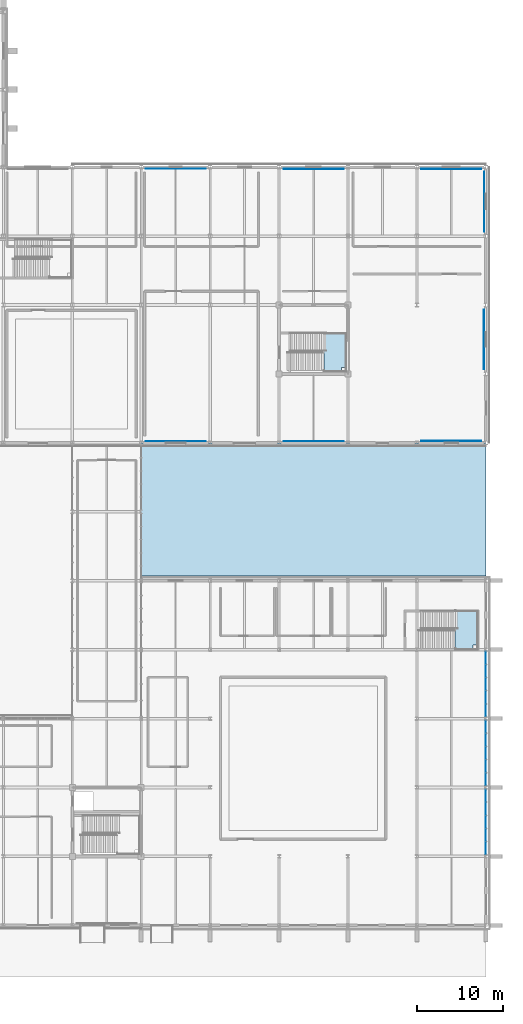
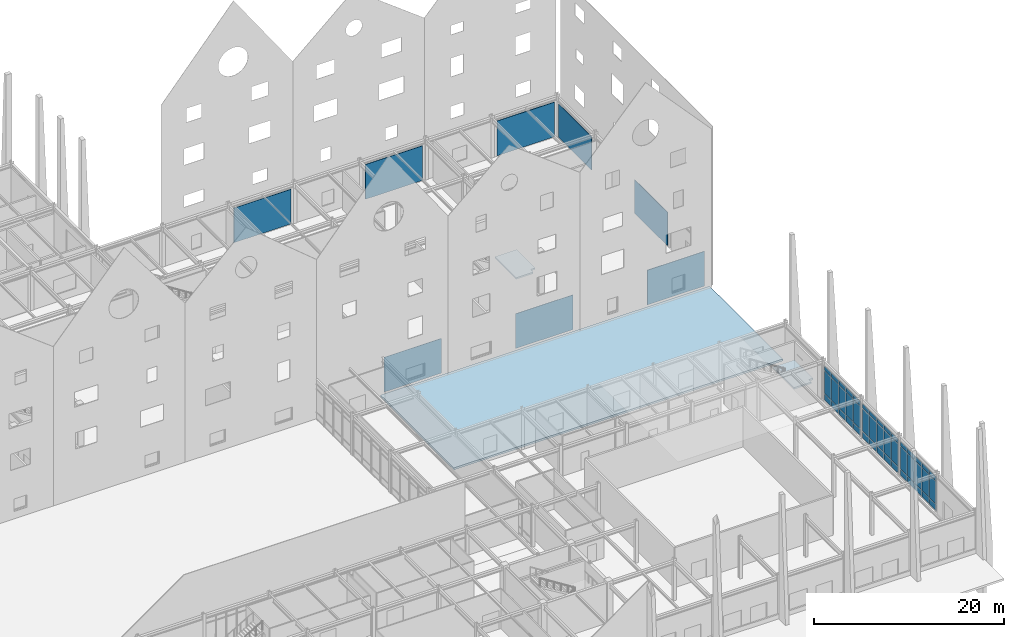
# One storey, part 66 of 119: 53 plates, 3 slabs, 5 elements without a shape of their own.
"""IFC4 building model written with IfcOpenShell, lengths in metres."""

import ifcopenshell
import ifcopenshell.guid

model = None  # the IFC model being written
_history = None  # IfcOwnerHistory: only IFC2X3 demands one
_inside = {}  # id of a spatial element -> (the spatial element, [elements in it])
_under = {}  # id of a project, library or spatial element -> (it, [spatial elements below it])
_declared = {}  # id of a project -> (the project, [libraries it declares])
_typed = {}  # id of a type object -> (the type object, [elements of that type])
_made_of = {}  # id of a material, layer set ... -> (it, [elements and type objects made of it])


def new_model(schema):
    """Start an empty IFC model of exactly this schema.

    Asked for "IFC4X3", IfcOpenShell would pick the latest addendum, in which some entities
    have other attributes; the version numbers below select the first issue.
    IFC2X3 requires an IfcOwnerHistory on every rooted entity: one is made here for all.
    """
    global model, _history
    if schema == "IFC4X3":
        model = ifcopenshell.file(schema_version=(4, 3, 0, 0))
    else:
        model = ifcopenshell.file(schema=schema)
    _inside.clear()
    _under.clear()
    _declared.clear()
    _typed.clear()
    _made_of.clear()
    _history = None
    if model.schema == "IFC2X3":
        org = make("IfcOrganization", Name="unknown")
        user = make(
            "IfcPersonAndOrganization",
            ThePerson=make("IfcPerson", FamilyName="unknown"),
            TheOrganization=org,
        )
        app = make(
            "IfcApplication",
            ApplicationDeveloper=org,
            Version="unknown",
            ApplicationFullName="unknown",
            ApplicationIdentifier="unknown",
        )
        _history = make(
            "IfcOwnerHistory",
            OwningUser=user,
            OwningApplication=app,
            ChangeAction="ADDED",
            CreationDate=0,
        )
    return model


def make(cls, **values):
    """One entity of the class cls with the attributes given. An attribute that is None is left unset."""
    return model.create_entity(
        cls, **{name: value for name, value in values.items() if value is not None}
    )


def rooted(cls, **values):
    """An entity with a GlobalId (a new one), such as an element, a storey or a relation."""
    return make(cls, GlobalId=ifcopenshell.guid.new(), OwnerHistory=_history, **values)


def si_unit(unit_type, name, prefix=None):
    """IfcSIUnit, for example si_unit("LENGTHUNIT", "METRE", prefix="MILLI")."""
    return make("IfcSIUnit", UnitType=unit_type, Prefix=prefix, Name=name)


def assignment(units):
    """IfcUnitAssignment: the units of a project."""
    return None if units is None else make("IfcUnitAssignment", Units=units)


def point(xyz):
    """IfcCartesianPoint."""
    return None if xyz is None else make("IfcCartesianPoint", Coordinates=xyz)


def direction(xyz):
    """IfcDirection."""
    return None if xyz is None else make("IfcDirection", DirectionRatios=xyz)


def frame(location, z_axis=None, x_axis=None):
    """IfcAxis2Placement3D, a coordinate frame: its origin and axes. An axis left out is left unset."""
    return make(
        "IfcAxis2Placement3D",
        Location=point(location),
        Axis=direction(z_axis),
        RefDirection=direction(x_axis),
    )


def frame_2d(location, x_axis=None):
    """IfcAxis2Placement2D, a coordinate frame in the plane: its origin and x axis."""
    return make(
        "IfcAxis2Placement2D", Location=point(location), RefDirection=direction(x_axis)
    )


def origin():
    """The frame at (0, 0, 0) with its axes left unset."""
    return frame((0.0, 0.0, 0.0))


def origin_2d():
    """The frame at (0, 0) in the plane with its x axis left unset."""
    return frame_2d((0.0, 0.0))


def place(relative_to, where):
    """IfcLocalPlacement: puts the frame where relative to a parent placement (None: the world)."""
    return make(
        "IfcLocalPlacement", PlacementRelTo=relative_to, RelativePlacement=where
    )


def context(
    kind, dimensions, precision=None, world=None, true_north=None, identifier=None
):
    """IfcGeometricRepresentationContext, for example the 3D "Model" context."""
    return make(
        "IfcGeometricRepresentationContext",
        ContextIdentifier=identifier,
        ContextType=kind,
        CoordinateSpaceDimension=dimensions,
        Precision=precision,
        WorldCoordinateSystem=world,
        TrueNorth=true_north,
    )


def subcontext(parent, identifier, kind, view, scale=None):
    """IfcGeometricRepresentationSubContext, for example "Body" below "Model"."""
    return make(
        "IfcGeometricRepresentationSubContext",
        ContextIdentifier=identifier,
        ContextType=kind,
        ParentContext=parent,
        TargetScale=scale,
        TargetView=view,
    )


def project(units=None, contexts=None):
    """IfcProject with its units and contexts."""
    return rooted(
        "IfcProject",
        Name="project",
        RepresentationContexts=contexts,
        UnitsInContext=assignment(units),
    )


def spatial(cls, under=None, at=None, **own):
    """A site, building, storey or space (cls), placed at a placement, below another one or the project."""
    s = rooted(cls, ObjectPlacement=at, **own)
    if under is not None:
        _under.setdefault(under.id(), (under, []))[1].append(s)
    return s


def polyline(points):
    """IfcPolyline through the points."""
    return make("IfcPolyline", Points=[point(p) for p in points])


def profile(cls, at=None, kind="AREA", **sizes):
    """A parametric profile (cls). Its sizes go by their IFC names, for example OverallWidth=200.0."""
    return make(cls, ProfileType=kind, Position=at, **sizes)


def rectangle(**sizes):
    """IfcRectangleProfileDef."""
    return profile("IfcRectangleProfileDef", **sizes)


def outline(outer, holes=None, kind="AREA"):
    """IfcArbitraryClosedProfileDef: a profile drawn as a closed curve; with holes, ...WithVoids."""
    if holes is None:
        return make("IfcArbitraryClosedProfileDef", ProfileType=kind, OuterCurve=outer)
    return make(
        "IfcArbitraryProfileDefWithVoids",
        ProfileType=kind,
        OuterCurve=outer,
        InnerCurves=holes,
    )


def extrude(swept, where, along, depth):
    """IfcExtrudedAreaSolid: the profile swept, set in the frame where, extruded along a direction by depth."""
    return make(
        "IfcExtrudedAreaSolid",
        SweptArea=swept,
        Position=where,
        ExtrudedDirection=direction(along),
        Depth=depth,
    )


def shape(context_of_items, identifier, shape_type, items):
    """IfcShapeRepresentation: the items that make up one representation, for example the "Body"."""
    return make(
        "IfcShapeRepresentation",
        ContextOfItems=context_of_items,
        RepresentationIdentifier=identifier,
        RepresentationType=shape_type,
        Items=items,
    )


def material(Name=None, Category=None):
    """IfcMaterial."""
    return make("IfcMaterial", Name=Name, Category=Category)


def layer(
    of_material, thickness, ventilated=None, Name=None, Category=None, Priority=None
):
    """IfcMaterialLayer: one layer of a wall or slab, of a material (None: an air gap)."""
    return make(
        "IfcMaterialLayer",
        Material=of_material,
        LayerThickness=thickness,
        IsVentilated=ventilated,
        Name=Name,
        Category=Category,
        Priority=Priority,
    )


def layer_set(layers, Name=None):
    """IfcMaterialLayerSet."""
    return make("IfcMaterialLayerSet", MaterialLayers=layers, LayerSetName=Name)


def made_of(thing, what):
    """Note that an element or type object is made of a material, layer set ...; save() writes the relation."""
    if what is not None:
        _made_of.setdefault(what.id(), (what, []))[1].append(thing)
    return thing


def type_object(cls, material=None, **own):
    """A type object (cls), such as IfcWallType, which elements share."""
    return made_of(rooted(cls, **own), material)


def element(
    cls,
    number,
    at=None,
    inside=None,
    cuts=None,
    type_object=None,
    material=None,
    context=None,
    identifier="Body",
    shape_type=None,
    held_by="IfcProductDefinitionShape",
    body=None,
    shapes=None,
    **own,
):
    """One element of the class cls, such as IfcWall. Its Tag is "e" and its number.

    at: its placement. inside: the storey or other place that contains it. cuts: it is an
    opening in that element (IfcRelVoidsElement). A single representation is given by context,
    identifier, shape_type and body (its items); several are given by shapes. held_by: the class
    of the entity that holds the representations. save() writes the other relations.
    """
    e = rooted(cls, Tag="e%d" % number, ObjectPlacement=at, **own)
    if body is not None:
        shapes = [shape(context, identifier, shape_type, body)]
    if shapes is not None:
        e.Representation = make(held_by, Representations=shapes)
    if inside is not None:
        _inside.setdefault(inside.id(), (inside, []))[1].append(e)
    if cuts is not None:
        rooted(
            "IfcRelVoidsElement", RelatingBuildingElement=cuts, RelatedOpeningElement=e
        )
    if type_object is not None:
        _typed.setdefault(type_object.id(), (type_object, []))[1].append(e)
    return made_of(e, material)


def aggregate(whole, parts):
    """IfcRelAggregates: a whole, such as a stair, and the parts it consists of."""
    return rooted("IfcRelAggregates", RelatingObject=whole, RelatedObjects=parts)


def save(model, path):
    """Write the relations noted so far, then the file.

    IfcRelAggregates (storeys below a building ...), IfcRelContainedInSpatialStructure (elements
    in a storey), IfcRelDefinesByType, IfcRelAssociatesMaterial and IfcRelDeclares: one each for
    every whole, place, type object, material and project.
    """
    for whole, parts in _under.values():
        aggregate(whole, parts)
    for where, things in _inside.values():
        rooted(
            "IfcRelContainedInSpatialStructure",
            RelatedElements=things,
            RelatingStructure=where,
        )
    for kind, things in _typed.values():
        rooted("IfcRelDefinesByType", RelatedObjects=things, RelatingType=kind)
    for what, things in _made_of.values():
        rooted("IfcRelAssociatesMaterial", RelatedObjects=things, RelatingMaterial=what)
    for by, libraries in _declared.values():
        rooted("IfcRelDeclares", RelatingContext=by, RelatedDefinitions=libraries)
    model.write(path)


model = new_model("IFC4")

# Units and contexts
model_context = context("Model", 3, precision=1e-05, world=origin(), true_north=direction((0.0, 1.0)))
body_context = subcontext(model_context, "Body", "Model", "MODEL_VIEW")
ifc_project = project(units=[si_unit("LENGTHUNIT", "METRE"), si_unit("AREAUNIT", "SQUARE_METRE"), si_unit("VOLUMEUNIT", "CUBIC_METRE"), si_unit("PLANEANGLEUNIT", "RADIAN"), si_unit("MASSUNIT", "GRAM", prefix="KILO")], contexts=[model_context])

# Site, building, storey
site_placement = place(None, origin())
site = spatial("IfcSite", under=ifc_project, at=site_placement, CompositionType="ELEMENT")
building_placement = place(site_placement, origin())
building = spatial("IfcBuilding", under=site, at=building_placement, Name="Zhaolan Boulevard Law Courts", CompositionType="ELEMENT")
storey_placement = place(building_placement, origin())
storey = spatial("IfcBuildingStorey", under=building, at=storey_placement, Name="L00", CompositionType="ELEMENT", Elevation=0.0)

# Curtain wall, plates
ifc_material_1 = material(Name="Thermally broken aluminium and low-E glazing", Category="aluminium")
curtain_wall_type_1 = type_object("IfcCurtainWallType", Name="CURTAIN WALL M9", PredefinedType="USERDEFINED", material=ifc_material_1)
curtain_wall_1_placement = place(storey_placement, origin())
curtain_wall_1 = element("IfcCurtainWall", 1, at=curtain_wall_1_placement, inside=storey, type_object=curtain_wall_type_1, Name="Curtain Wall CW-L00-009", ObjectType="CURTAIN WALL", PredefinedType="USERDEFINED")
ifc_material_2 = material(Name="Acoustic laminated low-E glazing", Category="glass")
ifc_layer_1 = layer(ifc_material_2, 0.031982421875)
ifc_layer_set_1 = layer_set([ifc_layer_1])
plate_type_1 = type_object("IfcPlateType", Name="CWPANEL LOW E32", PredefinedType="CURTAIN_PANEL", material=ifc_layer_set_1)
plate_1_placement = place(storey_placement, frame((164.0, 14.957763671875, 0.06494140625), z_axis=(0.0, 0.0, 1.0), x_axis=(0.0, 1.0, 0.0)))
plate_1 = element("IfcPlate", 2, at=plate_1_placement, type_object=plate_type_1, Name="CW-L00-009 panel 1.1", PredefinedType="CURTAIN_PANEL", context=body_context, shape_type="SweptSolid", body=[
    extrude(rectangle(XDim=1.431640625, YDim=0.031982421875, at=origin_2d()), origin(), (0.0, 0.0, 1.0), 0.802490234375),
])
plate_2_placement = place(storey_placement, frame((164.0, 14.957763671875, 0.9326171875), z_axis=(0.0, 0.0, 1.0), x_axis=(0.0, 1.0, 0.0)))
plate_2 = element("IfcPlate", 3, at=plate_2_placement, type_object=plate_type_1, Name="CW-L00-009 panel 1.2", PredefinedType="CURTAIN_PANEL", context=body_context, shape_type="SweptSolid", body=[
    extrude(rectangle(XDim=1.431640625, YDim=0.031982421875, at=origin_2d()), origin(), (0.0, 0.0, 1.0), 2.887939453125),
])
plate_3_placement = place(storey_placement, frame((164.0, 14.957763671875, 3.8857421875), z_axis=(0.0, 0.0, 1.0), x_axis=(0.0, 1.0, 0.0)))
plate_3 = element("IfcPlate", 4, at=plate_3_placement, type_object=plate_type_1, Name="CW-L00-009 panel 1.3", PredefinedType="CURTAIN_PANEL", context=body_context, shape_type="SweptSolid", body=[
    extrude(rectangle(XDim=1.431640625, YDim=0.031982421875, at=origin_2d()), origin(), (0.0, 0.0, 1.0), 0.552490234375),
])
plate_4_placement = place(storey_placement, frame((164.0, 16.470703125, 0.06494140625), z_axis=(0.0, 0.0, 1.0), x_axis=(0.0, 1.0, 0.0)))
plate_4 = element("IfcPlate", 5, at=plate_4_placement, type_object=plate_type_1, Name="CW-L00-009 panel 2.1", PredefinedType="CURTAIN_PANEL", context=body_context, shape_type="SweptSolid", body=[
    extrude(rectangle(XDim=1.464111328125, YDim=0.031982421875, at=origin_2d()), origin(), (0.0, 0.0, 1.0), 0.802490234375),
])
plate_5_placement = place(storey_placement, frame((164.0, 16.470703125, 0.9326171875), z_axis=(0.0, 0.0, 1.0), x_axis=(0.0, 1.0, 0.0)))
plate_5 = element("IfcPlate", 6, at=plate_5_placement, type_object=plate_type_1, Name="CW-L00-009 panel 2.2", PredefinedType="CURTAIN_PANEL", context=body_context, shape_type="SweptSolid", body=[
    extrude(rectangle(XDim=1.464111328125, YDim=0.031982421875, at=origin_2d()), origin(), (0.0, 0.0, 1.0), 2.887939453125),
])
plate_6_placement = place(storey_placement, frame((164.0, 16.470703125, 3.8857421875), z_axis=(0.0, 0.0, 1.0), x_axis=(0.0, 1.0, 0.0)))
plate_6 = element("IfcPlate", 7, at=plate_6_placement, type_object=plate_type_1, Name="CW-L00-009 panel 2.3", PredefinedType="CURTAIN_PANEL", context=body_context, shape_type="SweptSolid", body=[
    extrude(rectangle(XDim=1.464111328125, YDim=0.031982421875, at=origin_2d()), origin(), (0.0, 0.0, 1.0), 0.552490234375),
])
plate_7_placement = place(storey_placement, frame((164.0, 18.0, 0.06494140625), z_axis=(0.0, 0.0, 1.0), x_axis=(0.0, 1.0, 0.0)))
plate_7 = element("IfcPlate", 8, at=plate_7_placement, type_object=plate_type_1, Name="CW-L00-009 panel 3.1", PredefinedType="CURTAIN_PANEL", context=body_context, shape_type="SweptSolid", body=[
    extrude(rectangle(XDim=1.464111328125, YDim=0.031982421875, at=origin_2d()), origin(), (0.0, 0.0, 1.0), 0.802490234375),
])
plate_8_placement = place(storey_placement, frame((164.0, 18.0, 0.9326171875), z_axis=(0.0, 0.0, 1.0), x_axis=(0.0, 1.0, 0.0)))
plate_8 = element("IfcPlate", 9, at=plate_8_placement, type_object=plate_type_1, Name="CW-L00-009 panel 3.2", PredefinedType="CURTAIN_PANEL", context=body_context, shape_type="SweptSolid", body=[
    extrude(rectangle(XDim=1.464111328125, YDim=0.031982421875, at=origin_2d()), origin(), (0.0, 0.0, 1.0), 2.887939453125),
])
plate_9_placement = place(storey_placement, frame((164.0, 18.0, 3.8857421875), z_axis=(0.0, 0.0, 1.0), x_axis=(0.0, 1.0, 0.0)))
plate_9 = element("IfcPlate", 10, at=plate_9_placement, type_object=plate_type_1, Name="CW-L00-009 panel 3.3", PredefinedType="CURTAIN_PANEL", context=body_context, shape_type="SweptSolid", body=[
    extrude(rectangle(XDim=1.464111328125, YDim=0.031982421875, at=origin_2d()), origin(), (0.0, 0.0, 1.0), 0.552490234375),
])
plate_10_placement = place(storey_placement, frame((164.0, 19.529296875, 0.06494140625), z_axis=(0.0, 0.0, 1.0), x_axis=(0.0, 1.0, 0.0)))
plate_10 = element("IfcPlate", 11, at=plate_10_placement, type_object=plate_type_1, Name="CW-L00-009 panel 4.1", PredefinedType="CURTAIN_PANEL", context=body_context, shape_type="SweptSolid", body=[
    extrude(rectangle(XDim=1.464111328125, YDim=0.031982421875, at=origin_2d()), origin(), (0.0, 0.0, 1.0), 0.802490234375),
])
plate_11_placement = place(storey_placement, frame((164.0, 19.529296875, 0.9326171875), z_axis=(0.0, 0.0, 1.0), x_axis=(0.0, 1.0, 0.0)))
plate_11 = element("IfcPlate", 12, at=plate_11_placement, type_object=plate_type_1, Name="CW-L00-009 panel 4.2", PredefinedType="CURTAIN_PANEL", context=body_context, shape_type="SweptSolid", body=[
    extrude(rectangle(XDim=1.464111328125, YDim=0.031982421875, at=origin_2d()), origin(), (0.0, 0.0, 1.0), 2.887939453125),
])
plate_12_placement = place(storey_placement, frame((164.0, 19.529296875, 3.8857421875), z_axis=(0.0, 0.0, 1.0), x_axis=(0.0, 1.0, 0.0)))
plate_12 = element("IfcPlate", 13, at=plate_12_placement, type_object=plate_type_1, Name="CW-L00-009 panel 4.3", PredefinedType="CURTAIN_PANEL", context=body_context, shape_type="SweptSolid", body=[
    extrude(rectangle(XDim=1.464111328125, YDim=0.031982421875, at=origin_2d()), origin(), (0.0, 0.0, 1.0), 0.552490234375),
])
plate_13_placement = place(storey_placement, frame((164.0, 21.042236328125, 0.06494140625), z_axis=(0.0, 0.0, 1.0), x_axis=(0.0, 1.0, 0.0)))
plate_13 = element("IfcPlate", 14, at=plate_13_placement, type_object=plate_type_1, Name="CW-L00-009 panel 5.1", PredefinedType="CURTAIN_PANEL", context=body_context, shape_type="SweptSolid", body=[
    extrude(rectangle(XDim=1.431640625, YDim=0.031982421875, at=origin_2d()), origin(), (0.0, 0.0, 1.0), 0.802490234375),
])
plate_14_placement = place(storey_placement, frame((164.0, 21.042236328125, 0.9326171875), z_axis=(0.0, 0.0, 1.0), x_axis=(0.0, 1.0, 0.0)))
plate_14 = element("IfcPlate", 15, at=plate_14_placement, type_object=plate_type_1, Name="CW-L00-009 panel 5.2", PredefinedType="CURTAIN_PANEL", context=body_context, shape_type="SweptSolid", body=[
    extrude(rectangle(XDim=1.431640625, YDim=0.031982421875, at=origin_2d()), origin(), (0.0, 0.0, 1.0), 2.887939453125),
])
plate_15_placement = place(storey_placement, frame((164.0, 21.042236328125, 3.8857421875), z_axis=(0.0, 0.0, 1.0), x_axis=(0.0, 1.0, 0.0)))
plate_15 = element("IfcPlate", 16, at=plate_15_placement, type_object=plate_type_1, Name="CW-L00-009 panel 5.3", PredefinedType="CURTAIN_PANEL", context=body_context, shape_type="SweptSolid", body=[
    extrude(rectangle(XDim=1.431640625, YDim=0.031982421875, at=origin_2d()), origin(), (0.0, 0.0, 1.0), 0.552490234375),
])
aggregate(curtain_wall_1, [plate_1, plate_2, plate_3, plate_4, plate_5, plate_6, plate_7, plate_8, plate_9, plate_10, plate_11, plate_12, plate_13, plate_14, plate_15])

ifc_material_3 = material(Name="Thermally broken aluminium and low-E glazing", Category="aluminium")
curtain_wall_type_2 = type_object("IfcCurtainWallType", Name="CURTAIN WALL M10", PredefinedType="USERDEFINED", material=ifc_material_3)
curtain_wall_2_placement = place(storey_placement, origin())
curtain_wall_2 = element("IfcCurtainWall", 17, at=curtain_wall_2_placement, inside=storey, type_object=curtain_wall_type_2, Name="Curtain Wall CW-L00-010", ObjectType="CURTAIN WALL", PredefinedType="USERDEFINED")
plate_16_placement = place(storey_placement, frame((164.0, 22.957763671875, 0.06494140625), z_axis=(0.0, 0.0, 1.0), x_axis=(0.0, 1.0, 0.0)))
plate_16 = element("IfcPlate", 18, at=plate_16_placement, type_object=plate_type_1, Name="CW-L00-010 panel 1.1", PredefinedType="CURTAIN_PANEL", context=body_context, shape_type="SweptSolid", body=[
    extrude(rectangle(XDim=1.431640625, YDim=0.031982421875, at=origin_2d()), origin(), (0.0, 0.0, 1.0), 0.802490234375),
])
plate_17_placement = place(storey_placement, frame((164.0, 22.957763671875, 0.9326171875), z_axis=(0.0, 0.0, 1.0), x_axis=(0.0, 1.0, 0.0)))
plate_17 = element("IfcPlate", 19, at=plate_17_placement, type_object=plate_type_1, Name="CW-L00-010 panel 1.2", PredefinedType="CURTAIN_PANEL", context=body_context, shape_type="SweptSolid", body=[
    extrude(rectangle(XDim=1.431640625, YDim=0.031982421875, at=origin_2d()), origin(), (0.0, 0.0, 1.0), 2.887939453125),
])
plate_18_placement = place(storey_placement, frame((164.0, 22.957763671875, 3.8857421875), z_axis=(0.0, 0.0, 1.0), x_axis=(0.0, 1.0, 0.0)))
plate_18 = element("IfcPlate", 20, at=plate_18_placement, type_object=plate_type_1, Name="CW-L00-010 panel 1.3", PredefinedType="CURTAIN_PANEL", context=body_context, shape_type="SweptSolid", body=[
    extrude(rectangle(XDim=1.431640625, YDim=0.031982421875, at=origin_2d()), origin(), (0.0, 0.0, 1.0), 0.552490234375),
])
plate_19_placement = place(storey_placement, frame((164.0, 24.470703125, 0.06494140625), z_axis=(0.0, 0.0, 1.0), x_axis=(0.0, 1.0, 0.0)))
plate_19 = element("IfcPlate", 21, at=plate_19_placement, type_object=plate_type_1, Name="CW-L00-010 panel 2.1", PredefinedType="CURTAIN_PANEL", context=body_context, shape_type="SweptSolid", body=[
    extrude(rectangle(XDim=1.464111328125, YDim=0.031982421875, at=origin_2d()), origin(), (0.0, 0.0, 1.0), 0.802490234375),
])
plate_20_placement = place(storey_placement, frame((164.0, 24.470703125, 0.9326171875), z_axis=(0.0, 0.0, 1.0), x_axis=(0.0, 1.0, 0.0)))
plate_20 = element("IfcPlate", 22, at=plate_20_placement, type_object=plate_type_1, Name="CW-L00-010 panel 2.2", PredefinedType="CURTAIN_PANEL", context=body_context, shape_type="SweptSolid", body=[
    extrude(rectangle(XDim=1.464111328125, YDim=0.031982421875, at=origin_2d()), origin(), (0.0, 0.0, 1.0), 2.887939453125),
])
plate_21_placement = place(storey_placement, frame((164.0, 24.470703125, 3.8857421875), z_axis=(0.0, 0.0, 1.0), x_axis=(0.0, 1.0, 0.0)))
plate_21 = element("IfcPlate", 23, at=plate_21_placement, type_object=plate_type_1, Name="CW-L00-010 panel 2.3", PredefinedType="CURTAIN_PANEL", context=body_context, shape_type="SweptSolid", body=[
    extrude(rectangle(XDim=1.464111328125, YDim=0.031982421875, at=origin_2d()), origin(), (0.0, 0.0, 1.0), 0.552490234375),
])
plate_22_placement = place(storey_placement, frame((164.0, 26.0, 0.06494140625), z_axis=(0.0, 0.0, 1.0), x_axis=(0.0, 1.0, 0.0)))
plate_22 = element("IfcPlate", 24, at=plate_22_placement, type_object=plate_type_1, Name="CW-L00-010 panel 3.1", PredefinedType="CURTAIN_PANEL", context=body_context, shape_type="SweptSolid", body=[
    extrude(rectangle(XDim=1.464111328125, YDim=0.031982421875, at=origin_2d()), origin(), (0.0, 0.0, 1.0), 0.802490234375),
])
plate_23_placement = place(storey_placement, frame((164.0, 26.0, 0.9326171875), z_axis=(0.0, 0.0, 1.0), x_axis=(0.0, 1.0, 0.0)))
plate_23 = element("IfcPlate", 25, at=plate_23_placement, type_object=plate_type_1, Name="CW-L00-010 panel 3.2", PredefinedType="CURTAIN_PANEL", context=body_context, shape_type="SweptSolid", body=[
    extrude(rectangle(XDim=1.464111328125, YDim=0.031982421875, at=origin_2d()), origin(), (0.0, 0.0, 1.0), 2.887939453125),
])
plate_24_placement = place(storey_placement, frame((164.0, 26.0, 3.8857421875), z_axis=(0.0, 0.0, 1.0), x_axis=(0.0, 1.0, 0.0)))
plate_24 = element("IfcPlate", 26, at=plate_24_placement, type_object=plate_type_1, Name="CW-L00-010 panel 3.3", PredefinedType="CURTAIN_PANEL", context=body_context, shape_type="SweptSolid", body=[
    extrude(rectangle(XDim=1.464111328125, YDim=0.031982421875, at=origin_2d()), origin(), (0.0, 0.0, 1.0), 0.552490234375),
])
plate_25_placement = place(storey_placement, frame((164.0, 27.529296875, 0.06494140625), z_axis=(0.0, 0.0, 1.0), x_axis=(0.0, 1.0, 0.0)))
plate_25 = element("IfcPlate", 27, at=plate_25_placement, type_object=plate_type_1, Name="CW-L00-010 panel 4.1", PredefinedType="CURTAIN_PANEL", context=body_context, shape_type="SweptSolid", body=[
    extrude(rectangle(XDim=1.464111328125, YDim=0.031982421875, at=origin_2d()), origin(), (0.0, 0.0, 1.0), 0.802490234375),
])
plate_26_placement = place(storey_placement, frame((164.0, 27.529296875, 0.9326171875), z_axis=(0.0, 0.0, 1.0), x_axis=(0.0, 1.0, 0.0)))
plate_26 = element("IfcPlate", 28, at=plate_26_placement, type_object=plate_type_1, Name="CW-L00-010 panel 4.2", PredefinedType="CURTAIN_PANEL", context=body_context, shape_type="SweptSolid", body=[
    extrude(rectangle(XDim=1.464111328125, YDim=0.031982421875, at=origin_2d()), origin(), (0.0, 0.0, 1.0), 2.887939453125),
])
plate_27_placement = place(storey_placement, frame((164.0, 27.529296875, 3.8857421875), z_axis=(0.0, 0.0, 1.0), x_axis=(0.0, 1.0, 0.0)))
plate_27 = element("IfcPlate", 29, at=plate_27_placement, type_object=plate_type_1, Name="CW-L00-010 panel 4.3", PredefinedType="CURTAIN_PANEL", context=body_context, shape_type="SweptSolid", body=[
    extrude(rectangle(XDim=1.464111328125, YDim=0.031982421875, at=origin_2d()), origin(), (0.0, 0.0, 1.0), 0.552490234375),
])
plate_28_placement = place(storey_placement, frame((164.0, 29.042236328125, 0.06494140625), z_axis=(0.0, 0.0, 1.0), x_axis=(0.0, 1.0, 0.0)))
plate_28 = element("IfcPlate", 30, at=plate_28_placement, type_object=plate_type_1, Name="CW-L00-010 panel 5.1", PredefinedType="CURTAIN_PANEL", context=body_context, shape_type="SweptSolid", body=[
    extrude(rectangle(XDim=1.431640625, YDim=0.031982421875, at=origin_2d()), origin(), (0.0, 0.0, 1.0), 0.802490234375),
])
plate_29_placement = place(storey_placement, frame((164.0, 29.042236328125, 0.9326171875), z_axis=(0.0, 0.0, 1.0), x_axis=(0.0, 1.0, 0.0)))
plate_29 = element("IfcPlate", 31, at=plate_29_placement, type_object=plate_type_1, Name="CW-L00-010 panel 5.2", PredefinedType="CURTAIN_PANEL", context=body_context, shape_type="SweptSolid", body=[
    extrude(rectangle(XDim=1.431640625, YDim=0.031982421875, at=origin_2d()), origin(), (0.0, 0.0, 1.0), 2.887939453125),
])
plate_30_placement = place(storey_placement, frame((164.0, 29.042236328125, 3.8857421875), z_axis=(0.0, 0.0, 1.0), x_axis=(0.0, 1.0, 0.0)))
plate_30 = element("IfcPlate", 32, at=plate_30_placement, type_object=plate_type_1, Name="CW-L00-010 panel 5.3", PredefinedType="CURTAIN_PANEL", context=body_context, shape_type="SweptSolid", body=[
    extrude(rectangle(XDim=1.431640625, YDim=0.031982421875, at=origin_2d()), origin(), (0.0, 0.0, 1.0), 0.552490234375),
])
aggregate(curtain_wall_2, [plate_16, plate_17, plate_18, plate_19, plate_20, plate_21, plate_22, plate_23, plate_24, plate_25, plate_26, plate_27, plate_28, plate_29, plate_30])

ifc_material_4 = material(Name="Thermally broken aluminium and low-E glazing", Category="aluminium")
curtain_wall_type_3 = type_object("IfcCurtainWallType", Name="CURTAIN WALL M11", PredefinedType="USERDEFINED", material=ifc_material_4)
curtain_wall_3_placement = place(storey_placement, origin())
curtain_wall_3 = element("IfcCurtainWall", 33, at=curtain_wall_3_placement, inside=storey, type_object=curtain_wall_type_3, Name="Curtain Wall CW-L00-011", ObjectType="CURTAIN WALL", PredefinedType="USERDEFINED")
plate_31_placement = place(storey_placement, frame((164.0, 30.957763671875, 0.06494140625), z_axis=(0.0, 0.0, 1.0), x_axis=(0.0, 1.0, 0.0)))
plate_31 = element("IfcPlate", 34, at=plate_31_placement, type_object=plate_type_1, Name="CW-L00-011 panel 1.1", PredefinedType="CURTAIN_PANEL", context=body_context, shape_type="SweptSolid", body=[
    extrude(rectangle(XDim=1.431640625, YDim=0.031982421875, at=origin_2d()), origin(), (0.0, 0.0, 1.0), 0.802490234375),
])
plate_32_placement = place(storey_placement, frame((164.0, 30.957763671875, 0.9326171875), z_axis=(0.0, 0.0, 1.0), x_axis=(0.0, 1.0, 0.0)))
plate_32 = element("IfcPlate", 35, at=plate_32_placement, type_object=plate_type_1, Name="CW-L00-011 panel 1.2", PredefinedType="CURTAIN_PANEL", context=body_context, shape_type="SweptSolid", body=[
    extrude(rectangle(XDim=1.431640625, YDim=0.031982421875, at=origin_2d()), origin(), (0.0, 0.0, 1.0), 2.887939453125),
])
plate_33_placement = place(storey_placement, frame((164.0, 30.957763671875, 3.8857421875), z_axis=(0.0, 0.0, 1.0), x_axis=(0.0, 1.0, 0.0)))
plate_33 = element("IfcPlate", 36, at=plate_33_placement, type_object=plate_type_1, Name="CW-L00-011 panel 1.3", PredefinedType="CURTAIN_PANEL", context=body_context, shape_type="SweptSolid", body=[
    extrude(rectangle(XDim=1.431640625, YDim=0.031982421875, at=origin_2d()), origin(), (0.0, 0.0, 1.0), 0.552490234375),
])
plate_34_placement = place(storey_placement, frame((164.0, 32.470703125, 0.06494140625), z_axis=(0.0, 0.0, 1.0), x_axis=(0.0, 1.0, 0.0)))
plate_34 = element("IfcPlate", 37, at=plate_34_placement, type_object=plate_type_1, Name="CW-L00-011 panel 2.1", PredefinedType="CURTAIN_PANEL", context=body_context, shape_type="SweptSolid", body=[
    extrude(rectangle(XDim=1.464111328125, YDim=0.031982421875, at=origin_2d()), origin(), (0.0, 0.0, 1.0), 0.802490234375),
])
plate_35_placement = place(storey_placement, frame((164.0, 32.470703125, 0.9326171875), z_axis=(0.0, 0.0, 1.0), x_axis=(0.0, 1.0, 0.0)))
plate_35 = element("IfcPlate", 38, at=plate_35_placement, type_object=plate_type_1, Name="CW-L00-011 panel 2.2", PredefinedType="CURTAIN_PANEL", context=body_context, shape_type="SweptSolid", body=[
    extrude(rectangle(XDim=1.464111328125, YDim=0.031982421875, at=origin_2d()), origin(), (0.0, 0.0, 1.0), 2.887939453125),
])
plate_36_placement = place(storey_placement, frame((164.0, 32.470703125, 3.8857421875), z_axis=(0.0, 0.0, 1.0), x_axis=(0.0, 1.0, 0.0)))
plate_36 = element("IfcPlate", 39, at=plate_36_placement, type_object=plate_type_1, Name="CW-L00-011 panel 2.3", PredefinedType="CURTAIN_PANEL", context=body_context, shape_type="SweptSolid", body=[
    extrude(rectangle(XDim=1.464111328125, YDim=0.031982421875, at=origin_2d()), origin(), (0.0, 0.0, 1.0), 0.552490234375),
])
plate_37_placement = place(storey_placement, frame((164.0, 34.0, 0.06494140625), z_axis=(0.0, 0.0, 1.0), x_axis=(0.0, 1.0, 0.0)))
plate_37 = element("IfcPlate", 40, at=plate_37_placement, type_object=plate_type_1, Name="CW-L00-011 panel 3.1", PredefinedType="CURTAIN_PANEL", context=body_context, shape_type="SweptSolid", body=[
    extrude(rectangle(XDim=1.464111328125, YDim=0.031982421875, at=origin_2d()), origin(), (0.0, 0.0, 1.0), 0.802490234375),
])
plate_38_placement = place(storey_placement, frame((164.0, 34.0, 0.9326171875), z_axis=(0.0, 0.0, 1.0), x_axis=(0.0, 1.0, 0.0)))
plate_38 = element("IfcPlate", 41, at=plate_38_placement, type_object=plate_type_1, Name="CW-L00-011 panel 3.2", PredefinedType="CURTAIN_PANEL", context=body_context, shape_type="SweptSolid", body=[
    extrude(rectangle(XDim=1.464111328125, YDim=0.031982421875, at=origin_2d()), origin(), (0.0, 0.0, 1.0), 2.887939453125),
])
plate_39_placement = place(storey_placement, frame((164.0, 34.0, 3.8857421875), z_axis=(0.0, 0.0, 1.0), x_axis=(0.0, 1.0, 0.0)))
plate_39 = element("IfcPlate", 42, at=plate_39_placement, type_object=plate_type_1, Name="CW-L00-011 panel 3.3", PredefinedType="CURTAIN_PANEL", context=body_context, shape_type="SweptSolid", body=[
    extrude(rectangle(XDim=1.464111328125, YDim=0.031982421875, at=origin_2d()), origin(), (0.0, 0.0, 1.0), 0.552490234375),
])
plate_40_placement = place(storey_placement, frame((164.0, 35.529296875, 0.06494140625), z_axis=(0.0, 0.0, 1.0), x_axis=(0.0, 1.0, 0.0)))
plate_40 = element("IfcPlate", 43, at=plate_40_placement, type_object=plate_type_1, Name="CW-L00-011 panel 4.1", PredefinedType="CURTAIN_PANEL", context=body_context, shape_type="SweptSolid", body=[
    extrude(rectangle(XDim=1.464111328125, YDim=0.031982421875, at=origin_2d()), origin(), (0.0, 0.0, 1.0), 0.802490234375),
])
plate_41_placement = place(storey_placement, frame((164.0, 35.529296875, 0.9326171875), z_axis=(0.0, 0.0, 1.0), x_axis=(0.0, 1.0, 0.0)))
plate_41 = element("IfcPlate", 44, at=plate_41_placement, type_object=plate_type_1, Name="CW-L00-011 panel 4.2", PredefinedType="CURTAIN_PANEL", context=body_context, shape_type="SweptSolid", body=[
    extrude(rectangle(XDim=1.464111328125, YDim=0.031982421875, at=origin_2d()), origin(), (0.0, 0.0, 1.0), 2.887939453125),
])
plate_42_placement = place(storey_placement, frame((164.0, 35.529296875, 3.8857421875), z_axis=(0.0, 0.0, 1.0), x_axis=(0.0, 1.0, 0.0)))
plate_42 = element("IfcPlate", 45, at=plate_42_placement, type_object=plate_type_1, Name="CW-L00-011 panel 4.3", PredefinedType="CURTAIN_PANEL", context=body_context, shape_type="SweptSolid", body=[
    extrude(rectangle(XDim=1.464111328125, YDim=0.031982421875, at=origin_2d()), origin(), (0.0, 0.0, 1.0), 0.552490234375),
])
plate_43_placement = place(storey_placement, frame((164.0, 37.042236328125, 0.06494140625), z_axis=(0.0, 0.0, 1.0), x_axis=(0.0, 1.0, 0.0)))
plate_43 = element("IfcPlate", 46, at=plate_43_placement, type_object=plate_type_1, Name="CW-L00-011 panel 5.1", PredefinedType="CURTAIN_PANEL", context=body_context, shape_type="SweptSolid", body=[
    extrude(rectangle(XDim=1.431640625, YDim=0.031982421875, at=origin_2d()), origin(), (0.0, 0.0, 1.0), 0.802490234375),
])
plate_44_placement = place(storey_placement, frame((164.0, 37.042236328125, 0.9326171875), z_axis=(0.0, 0.0, 1.0), x_axis=(0.0, 1.0, 0.0)))
plate_44 = element("IfcPlate", 47, at=plate_44_placement, type_object=plate_type_1, Name="CW-L00-011 panel 5.2", PredefinedType="CURTAIN_PANEL", context=body_context, shape_type="SweptSolid", body=[
    extrude(rectangle(XDim=1.431640625, YDim=0.031982421875, at=origin_2d()), origin(), (0.0, 0.0, 1.0), 2.887939453125),
])
plate_45_placement = place(storey_placement, frame((164.0, 37.042236328125, 3.8857421875), z_axis=(0.0, 0.0, 1.0), x_axis=(0.0, 1.0, 0.0)))
plate_45 = element("IfcPlate", 48, at=plate_45_placement, type_object=plate_type_1, Name="CW-L00-011 panel 5.3", PredefinedType="CURTAIN_PANEL", context=body_context, shape_type="SweptSolid", body=[
    extrude(rectangle(XDim=1.431640625, YDim=0.031982421875, at=origin_2d()), origin(), (0.0, 0.0, 1.0), 0.552490234375),
])
aggregate(curtain_wall_3, [plate_31, plate_32, plate_33, plate_34, plate_35, plate_36, plate_37, plate_38, plate_39, plate_40, plate_41, plate_42, plate_43, plate_44, plate_45])

# Stair, slab
ifc_material_5 = material(Name="Concrete C40", Category="concrete")
stair_type = type_object("IfcStairType", Name="HALF TURN STAIR 54 B", PredefinedType="HALF_TURN_STAIR", material=ifc_material_5)
stair_1_placement = place(storey_placement, origin())
stair_1 = element("IfcStair", 49, at=stair_1_placement, inside=storey, type_object=stair_type, Name="Stair ST07-L00", PredefinedType="HALF_TURN_STAIR")
ifc_material_6 = material(Name="Concrete C40", Category="concrete")
ifc_layer_2 = layer(ifc_material_6, 0.199951171875)
ifc_layer_set_2 = layer_set([ifc_layer_2])
slab_type_1 = type_object("IfcSlabType", Name="STAIR LANDING 200", PredefinedType="LANDING", material=ifc_layer_set_2)
slab_1_placement = place(storey_placement, frame((0.0, 0.0, 2.5)))
slab_1 = element("IfcSlab", 50, at=slab_1_placement, type_object=slab_type_1, Name="Stair Landing ST07-L00-L1", PredefinedType="LANDING", context=body_context, shape_type="SweptSolid", body=[
    extrude(outline(polyline([(160.43994140625, 38.050048828125), (162.5400390625, 38.050048828125), (162.5400390625, 38.56005859375), (163.050048828125, 38.56005859375), (163.050048828125, 42.449951171875), (160.43994140625, 42.449951171875), (160.43994140625, 38.050048828125)])), origin(), (0.0, 0.0, 1.0), 0.199951171875),
])
aggregate(stair_1, [slab_1])

stair_2_placement = place(storey_placement, origin())
stair_2 = element("IfcStair", 51, at=stair_2_placement, inside=storey, type_object=stair_type, Name="Stair ST09-L00", PredefinedType="HALF_TURN_STAIR")
slab_2_placement = place(storey_placement, frame((0.0, 0.0, 2.5)))
slab_2 = element("IfcSlab", 52, at=slab_2_placement, type_object=slab_type_1, Name="Stair Landing ST09-L00-L1", PredefinedType="LANDING", context=body_context, shape_type="SweptSolid", body=[
    extrude(outline(polyline([(145.18994140625, 70.169921875), (147.27001953125, 70.169921875), (147.27001953125, 70.72998046875), (147.830078125, 70.72998046875), (147.830078125, 74.639892578125), (145.18994140625, 74.639892578125), (145.18994140625, 70.169921875)])), origin(), (0.0, 0.0, 1.0), 0.199951171875),
])
aggregate(stair_2, [slab_2])

# Plates
ifc_material_7 = material(Name="Pale mist-grey standing-seam Al-Mg-Mn zinc-titanium")
ifc_layer_3 = layer(ifc_material_7, 0.0400390625)
ifc_layer_set_3 = layer_set([ifc_layer_3])
plate_type_2 = type_object("IfcPlateType", Name="STANDING SEAM PLATE 40", PredefinedType="SHEET", material=ifc_layer_set_3)
for number, where, z_axis, x_axis, name in (
    (53, (128.0, 62.179931640625, 0.1005859375), (0.0, 0.0, 1.0), (1.0, 0.0, 0.0), "Standing-Seam Metal Wall Cladding SSP-L00-180"),
    (54, (128.0, 93.820068359375, 0.1005859375), (0.0, 0.0, 1.0), (-1.0, 0.0, 0.0), "Standing-Seam Metal Wall Cladding SSP-L00-192"),
):
    element("IfcPlate", number, at=place(storey_placement, frame(where, z_axis=z_axis, x_axis=x_axis)), inside=storey, type_object=plate_type_2, Name=name, PredefinedType="SHEET", context=body_context, shape_type="SweptSolid", body=[
        extrude(rectangle(XDim=6.9599609375, YDim=0.0400390625, at=origin_2d()), origin(), (0.0, 0.0, 1.0), 4.462890625),
    ])
plate_46_placement = place(storey_placement, frame((163.820068359375, 90.0, 0.1005859375), z_axis=(0.0, 0.0, 1.0), x_axis=(0.0, 1.0, 0.0)))
element("IfcPlate", 55, at=plate_46_placement, inside=storey, type_object=plate_type_2, Name="Standing-Seam Metal Wall Cladding SSP-L00-204", PredefinedType="SHEET", context=body_context, shape_type="SweptSolid", body=[
    extrude(rectangle(XDim=6.9599609375, YDim=0.0400390625, at=origin_2d()), origin(), (0.0, 0.0, 1.0), 4.302978515625),
])
ifc_material_8 = material(Name="Pale mist-grey standing-seam Al-Mg-Mn zinc-titanium")
ifc_layer_4 = layer(ifc_material_8, 0.050048828125)
ifc_layer_set_4 = layer_set([ifc_layer_4])
plate_type_3 = type_object("IfcPlateType", Name="STANDING SEAM PLATE 50", PredefinedType="SHEET", material=ifc_layer_set_4)
for number, where, z_axis, x_axis, name in (
    (56, (144.0, 62.18505859375, 0.1005859375), (0.0, 0.0, 1.0), (1.0, 0.0, 0.0), "Standing-Seam Metal Wall Cladding SSP-L00-182"),
    (57, (144.0, 93.81494140625, 0.1005859375), (0.0, 0.0, 1.0), (-1.0, 0.0, 0.0), "Standing-Seam Metal Wall Cladding SSP-L00-194"),
):
    element("IfcPlate", number, at=place(storey_placement, frame(where, z_axis=z_axis, x_axis=x_axis)), inside=storey, type_object=plate_type_3, Name=name, PredefinedType="SHEET", context=body_context, shape_type="SweptSolid", body=[
        extrude(rectangle(XDim=6.9599609375, YDim=0.050048828125, at=origin_2d()), origin(), (0.0, 0.0, 1.0), 4.462890625),
    ])
ifc_material_9 = material(Name="Pale mist-grey standing-seam Al-Mg-Mn zinc-titanium")
ifc_layer_5 = layer(ifc_material_9, 0.06005859375)
ifc_layer_set_5 = layer_set([ifc_layer_5])
plate_type_4 = type_object("IfcPlateType", Name="STANDING SEAM PLATE 60", PredefinedType="SHEET", material=ifc_layer_set_5)
for number, where, z_axis, x_axis, name in (
    (58, (160.0, 62.18994140625, 0.1005859375), (0.0, 0.0, 1.0), (1.0, 0.0, 0.0), "Standing-Seam Metal Wall Cladding SSP-L00-184"),
    (59, (160.0, 93.81005859375, 0.1005859375), (0.0, 0.0, 1.0), (-1.0, 0.0, 0.0), "Standing-Seam Metal Wall Cladding SSP-L00-196"),
):
    element("IfcPlate", number, at=place(storey_placement, frame(where, z_axis=z_axis, x_axis=x_axis)), inside=storey, type_object=plate_type_4, Name=name, PredefinedType="SHEET", context=body_context, shape_type="SweptSolid", body=[
        extrude(rectangle(XDim=6.9599609375, YDim=0.06005859375, at=origin_2d()), origin(), (0.0, 0.0, 1.0), 4.462890625),
    ])
plate_47_placement = place(storey_placement, frame((163.81005859375, 74.0, 0.1005859375), z_axis=(0.0, 0.0, 1.0), x_axis=(0.0, 1.0, 0.0)))
element("IfcPlate", 60, at=plate_47_placement, inside=storey, type_object=plate_type_4, Name="Standing-Seam Metal Wall Cladding SSP-L00-202", PredefinedType="SHEET", context=body_context, shape_type="SweptSolid", body=[
    extrude(rectangle(XDim=6.9599609375, YDim=0.06005859375, at=origin_2d()), origin(), (0.0, 0.0, 1.0), 4.302978515625),
])

# Slab
ifc_material_10 = material(Name="Concrete C40", Category="concrete")
ifc_layer_6 = layer(ifc_material_10, 0.25)
ifc_layer_set_6 = layer_set([ifc_layer_6])
slab_type_2 = type_object("IfcSlabType", Name="TERRACE SLAB 250", PredefinedType="FLOOR", material=ifc_layer_set_6)
slab_3_placement = place(storey_placement, frame((0.0, 0.0, -0.25)))
element("IfcSlab", 61, at=slab_3_placement, inside=storey, type_object=slab_type_2, Name="Slab SLB-L00-PLZE", PredefinedType="FLOOR", context=body_context, shape_type="SweptSolid", body=[
    extrude(outline(polyline([(124.0, 46.550048828125), (164.0, 46.550048828125), (164.0, 62.0), (124.0, 62.0), (124.0, 46.550048828125)])), origin(), (0.0, 0.0, 1.0), 0.25),
])

save(model, "model.ifc")
